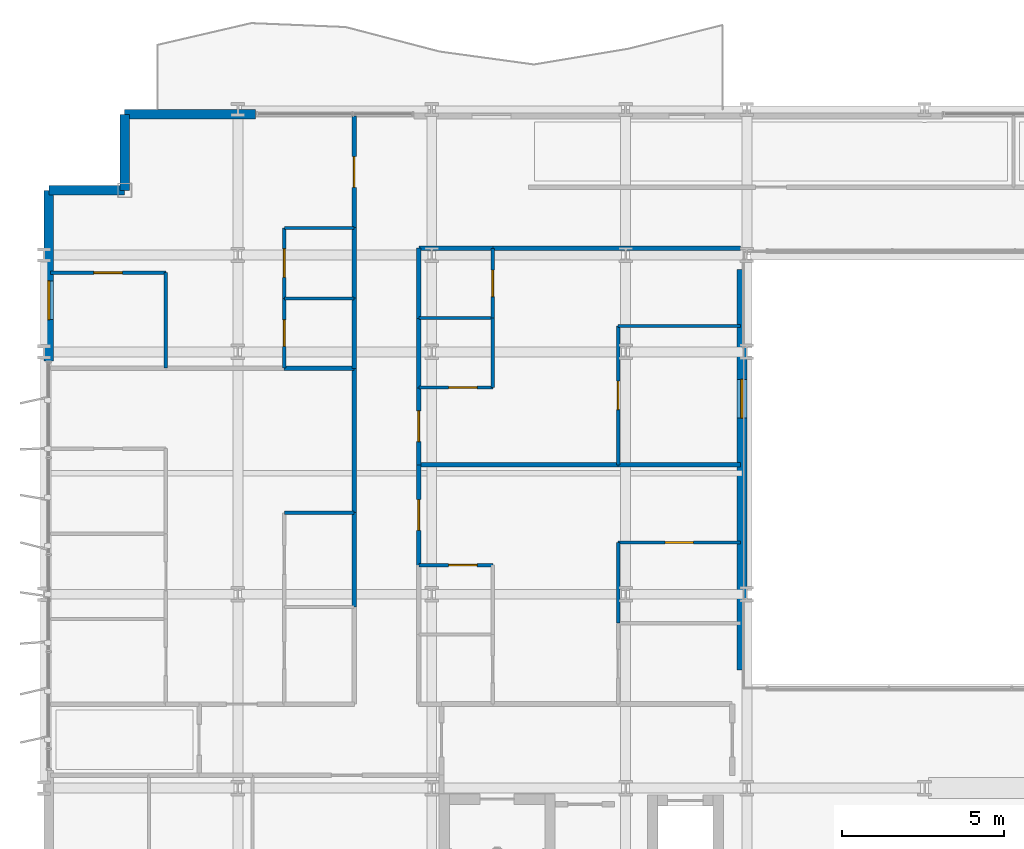
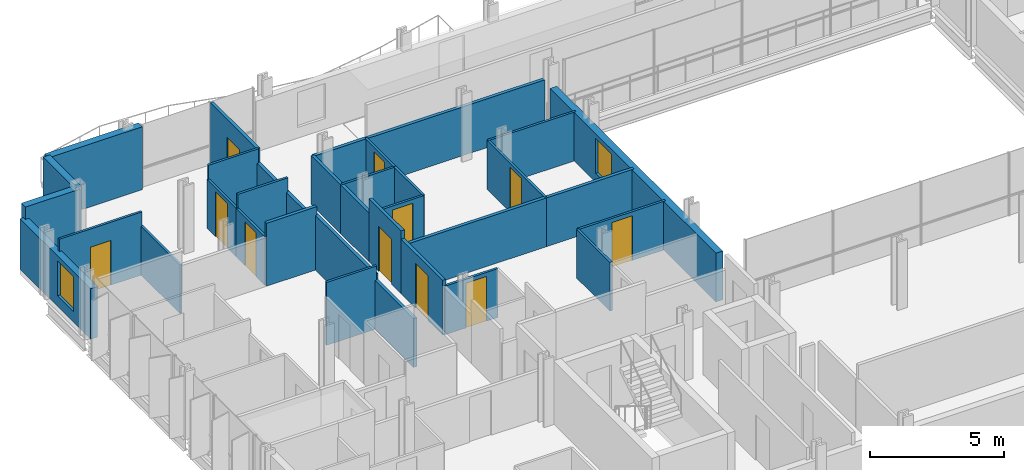
# One storey, part 29 of 38: 35 walls, 11 doors, 2 windows, 13 openings.
"""IFC4 building model written with IfcOpenShell, lengths in metres."""

from ifc_helpers import new_model, si_unit, direction, frame, frame_2d, origin, place, context, subcontext, project, spatial, rectangle, extrude, material, layer, layer_set, type_object, element, fill, save


model = new_model("IFC4")

# Units and contexts
model_context = context("Model", 3, precision=1e-05, world=origin(), true_north=direction((0.0, 1.0)))
body_context = subcontext(model_context, "Body", "Model", "MODEL_VIEW")
ifc_project = project(units=[si_unit("LENGTHUNIT", "METRE"), si_unit("AREAUNIT", "SQUARE_METRE"), si_unit("VOLUMEUNIT", "CUBIC_METRE"), si_unit("PLANEANGLEUNIT", "RADIAN"), si_unit("MASSUNIT", "GRAM", prefix="KILO")], contexts=[model_context])

# Site, building, storey
site_placement = place(None, origin())
site = spatial("IfcSite", under=ifc_project, at=site_placement, CompositionType="ELEMENT")
building_placement = place(site_placement, origin())
building = spatial("IfcBuilding", under=site, at=building_placement, Name="Brevholm Reach", CompositionType="ELEMENT")
storey_placement = place(building_placement, frame((0.0, 0.0, 46.60009765625)))
storey = spatial("IfcBuildingStorey", under=building, at=storey_placement, Name="L12", CompositionType="ELEMENT", Elevation=46.60009765625)

# Walls
ifc_material_1 = material(Name="Concrete C40/50", Category="concrete")
ifc_layer_1 = layer(ifc_material_1, 0.300048828125)
ifc_layer_set_1 = layer_set([ifc_layer_1], Name="Concrete C40/50")
wall_type_1 = type_object("IfcWallType", Name="WAL-EXT-300", PredefinedType="STANDARD", material=ifc_layer_set_1)
for number, where, z_axis, x_axis, name in (
    (1, (2.5, 30.85009765625, 0.0), (0.0, 0.0, 1.0), (0.0, -1.0, 0.0), "L12 Facade Wall WAL-L12-CNW1"),
    (2, (2.5, 28.5, 0.0), (0.0, 0.0, 1.0), (-1.0, 0.0, 0.0), "L12 Facade Wall WAL-L12-CNW2"),
):
    element("IfcWall", number, at=place(storey_placement, frame(where, z_axis=z_axis, x_axis=x_axis)), inside=storey, type_object=wall_type_1, Name=name, PredefinedType="STANDARD", context=body_context, shape_type="SweptSolid", body=[
        extrude(rectangle(XDim=2.35009765625, YDim=0.300048828125, at=frame_2d((1.175048828125, 0.0))), origin(), (0.0, 0.0, 1.0), 2.869873046875),
    ])

# Wall, opening, window
wall_1_placement = place(storey_placement, frame((0.14990234375, 28.5, 0.0), z_axis=(0.0, 0.0, 1.0), x_axis=(0.0, -1.0, 0.0)))
wall_1 = element("IfcWall", 3, at=wall_1_placement, inside=storey, type_object=wall_type_1, Name="L12 Facade Wall WAL-L12-W-N", PredefinedType="STANDARD", context=body_context, shape_type="SweptSolid", body=[
    extrude(rectangle(XDim=5.280029296875, YDim=0.300048828125, at=frame_2d((2.64013671875, 0.0))), origin(), (0.0, 0.0, 1.0), 2.305419921875),
])
opening_1_placement = place(wall_1_placement, frame((2.800048828125, 0.0, 0.486083984375)))
opening_1 = element("IfcOpeningElement", 4, at=opening_1_placement, cuts=wall_1, Name="Opening WN-08", PredefinedType="OPENING", context=body_context, shape_type="SweptSolid", body=[
    extrude(rectangle(XDim=1.199951171875, YDim=1.60009765625, at=frame_2d((0.60009765625, 0.800048828125))), frame((0.0, 0.159912109375, 0.0), z_axis=(0.0, -1.0, 0.0), x_axis=(1.0, 0.0, 0.0)), (0.0, 0.0, 1.0), 0.320068359375),
])
ifc_material_2 = material(Name="Dark Anodised Aluminium and Solar-Control IGU Glass", Category="aluminium")
window_type = type_object("IfcWindowType", Name="WIN-RES-1200", PartitioningType="SINGLE_PANEL", PredefinedType="WINDOW", material=ifc_material_2)
window_1_placement = place(opening_1_placement, origin())
window_1 = element("IfcWindow", 5, at=window_1_placement, inside=storey, type_object=window_type, Name="L12 Window WIN-L12-WN-1", OverallHeight=1.60009765625, OverallWidth=1.199951171875, PartitioningType="SINGLE_PANEL", PredefinedType="WINDOW", context=body_context, shape_type="SweptSolid", body=[
    extrude(rectangle(XDim=1.199951171875, YDim=1.60009765625, at=frame_2d((0.60009765625, 0.800048828125))), frame((0.0, 0.030029296875, 0.0), z_axis=(0.0, -1.0, 0.0), x_axis=(1.0, 0.0, 0.0)), (0.0, 0.0, 1.0), 0.06005859375),
])
fill(opening_1, window_1)

# Wall
wall_2_placement = place(storey_placement, frame((2.5, 30.85009765625, 0.0), z_axis=(0.0, 0.0, 1.0), x_axis=(1.0, 0.0, 0.0)))
element("IfcWall", 6, at=wall_2_placement, inside=storey, type_object=wall_type_1, Name="L12 Facade Wall WAL-L12-NP-W0", PredefinedType="STANDARD", context=body_context, shape_type="SweptSolid", body=[
    extrude(rectangle(XDim=4.050048828125, YDim=0.300048828125, at=frame_2d((2.02490234375, 0.0))), origin(), (0.0, 0.0, 1.0), 2.869873046875),
])

# Wall, opening, window
wall_3_placement = place(storey_placement, frame((21.60009765625, 26.050048828125, 0.0), z_axis=(0.0, 0.0, 1.0), x_axis=(0.0, -1.0, 0.0)))
wall_3 = element("IfcWall", 7, at=wall_3_placement, inside=storey, type_object=wall_type_1, Name="L12 Facade Wall WAL-L12-AT-W", PredefinedType="STANDARD", context=body_context, shape_type="SweptSolid", body=[
    extrude(rectangle(XDim=12.400146484375, YDim=0.300048828125, at=frame_2d((6.2001953125, 0.0))), origin(), (0.0, 0.0, 1.0), 2.224609375),
])
opening_2_placement = place(wall_3_placement, frame((3.39990234375, 0.0, 0.405029296875)))
opening_2 = element("IfcOpeningElement", 8, at=opening_2_placement, cuts=wall_3, Name="Opening WN-08", PredefinedType="OPENING", context=body_context, shape_type="SweptSolid", body=[
    extrude(rectangle(XDim=1.199951171875, YDim=1.60009765625, at=frame_2d((0.60009765625, 0.800048828125))), frame((0.0, 0.159912109375, 0.0), z_axis=(0.0, -1.0, 0.0), x_axis=(1.0, 0.0, 0.0)), (0.0, 0.0, 1.0), 0.320068359375),
])
window_2_placement = place(opening_2_placement, origin())
window_2 = element("IfcWindow", 9, at=window_2_placement, inside=storey, type_object=window_type, Name="L12 Window WIN-L12-AT-W1", OverallHeight=1.60009765625, OverallWidth=1.199951171875, PartitioningType="SINGLE_PANEL", PredefinedType="WINDOW", context=body_context, shape_type="SweptSolid", body=[
    extrude(rectangle(XDim=1.199951171875, YDim=1.60009765625, at=frame_2d((0.60009765625, 0.800048828125))), frame((0.0, 0.030029296875, 0.0), z_axis=(0.0, -1.0, 0.0), x_axis=(1.0, 0.0, 0.0)), (0.0, 0.0, 1.0), 0.06005859375),
])
fill(opening_2, window_2)

# Walls
ifc_material_3 = material(Name="Moisture-Resistant Acoustic Gypsum Stud Partition 100 mm", Category="gypsum")
ifc_layer_2 = layer(ifc_material_3, 0.10009765625)
ifc_layer_set_2 = layer_set([ifc_layer_2], Name="Moisture-Resistant Acoustic Gypsum Stud Partition 100 mm")
wall_type_2 = type_object("IfcWallType", Name="WAL-PRT-100", PredefinedType="PARTITIONING", material=ifc_layer_set_2)
for number, where, z_axis, x_axis, name in (
    (10, (7.43798828125, 18.52001953125, 0.0), (0.0, 0.0, 1.0), (1.0, 0.0, 0.0), "L12 Internal Partition 091"),
    (11, (7.43798828125, 25.14990234375, 0.0), (0.0, 0.0, 1.0), (1.0, 0.0, 0.0), "L12 Internal Partition 102"),
):
    element("IfcWall", number, at=place(storey_placement, frame(where, z_axis=z_axis, x_axis=x_axis)), inside=storey, type_object=wall_type_2, Name=name, PredefinedType="PARTITIONING", context=body_context, shape_type="SweptSolid", body=[
        extrude(rectangle(XDim=2.157958984375, YDim=0.10009765625, at=frame_2d((1.0791015625, 0.0))), origin(), (0.0, 0.0, 1.0), 2.869873046875),
    ])

# Wall, opening, door
wall_4_placement = place(storey_placement, frame((7.43798828125, 23.00390625, 0.0), z_axis=(0.0, 0.0, 1.0), x_axis=(0.0, 1.0, 0.0)))
wall_4 = element("IfcWall", 12, at=wall_4_placement, inside=storey, type_object=wall_type_2, Name="L12 Internal Partition 103", PredefinedType="PARTITIONING", context=body_context, shape_type="SweptSolid", body=[
    extrude(rectangle(XDim=2.14599609375, YDim=0.10009765625, at=frame_2d((1.072998046875, 0.0))), origin(), (0.0, 0.0, 1.0), 2.224609375),
])
opening_3_placement = place(wall_4_placement, frame((0.6630859375, 0.0, 0.0)))
opening_3 = element("IfcOpeningElement", 13, at=opening_3_placement, cuts=wall_4, Name="Opening ID-03", PredefinedType="OPENING", context=body_context, shape_type="SweptSolid", body=[
    extrude(rectangle(XDim=0.820068359375, YDim=2.02001953125, at=frame_2d((0.41015625, 1.010009765625))), frame((0.0, 0.06005859375, 0.0), z_axis=(0.0, -1.0, 0.0), x_axis=(1.0, 0.0, 0.0)), (0.0, 0.0, 1.0), 0.1201171875),
])
ifc_material_4 = material(Name="Moisture-Resistant Painted Timber Internal Bathroom Door", Category="wood")
door_type_1 = type_object("IfcDoorType", Name="DOR-BATH-820", OperationType="NOTDEFINED", PredefinedType="DOOR", material=ifc_material_4)
door_1_placement = place(opening_3_placement, origin())
door_1 = element("IfcDoor", 14, at=door_1_placement, inside=storey, type_object=door_type_1, Name="L12 Internal Door 036", OperationType="SINGLE_SWING_RIGHT", OverallHeight=2.02001953125, OverallWidth=0.820068359375, PredefinedType="DOOR", context=body_context, shape_type="SweptSolid", body=[
    extrude(rectangle(XDim=0.820068359375, YDim=2.02001953125, at=frame_2d((0.41015625, 1.010009765625))), frame((0.0, 0.02490234375, 0.0), z_axis=(0.0, -1.0, 0.0), x_axis=(1.0, 0.0, 0.0)), (0.0, 0.0, 1.0), 0.050048828125),
])
fill(opening_3, door_1)

# Wall
wall_5_placement = place(storey_placement, frame((7.43798828125, 27.333984375, 0.0), z_axis=(0.0, 0.0, 1.0), x_axis=(1.0, 0.0, 0.0)))
element("IfcWall", 15, at=wall_5_placement, inside=storey, type_object=wall_type_2, Name="L12 Internal Partition 104", PredefinedType="PARTITIONING", context=body_context, shape_type="SweptSolid", body=[
    extrude(rectangle(XDim=2.157958984375, YDim=0.10009765625, at=frame_2d((1.0791015625, 0.0))), origin(), (0.0, 0.0, 1.0), 2.869873046875),
])

# Wall, opening, door
wall_6_placement = place(storey_placement, frame((7.43798828125, 25.154052734375, 0.0), z_axis=(0.0, 0.0, 1.0), x_axis=(0.0, 1.0, 0.0)))
wall_6 = element("IfcWall", 16, at=wall_6_placement, inside=storey, type_object=wall_type_2, Name="L12 Internal Partition 105", PredefinedType="PARTITIONING", context=body_context, shape_type="SweptSolid", body=[
    extrude(rectangle(XDim=2.179931640625, YDim=0.10009765625, at=frame_2d((1.08984375, 0.0))), origin(), (0.0, 0.0, 1.0), 2.224609375),
])
opening_4_placement = place(wall_6_placement, frame((0.64990234375, 0.0, 0.0)))
opening_4 = element("IfcOpeningElement", 17, at=opening_4_placement, cuts=wall_6, Name="Opening ID-01", PredefinedType="OPENING", context=body_context, shape_type="SweptSolid", body=[
    extrude(rectangle(XDim=0.8798828125, YDim=2.0400390625, at=frame_2d((0.43994140625, 1.02001953125))), frame((0.0, 0.06005859375, 0.0), z_axis=(0.0, -1.0, 0.0), x_axis=(1.0, 0.0, 0.0)), (0.0, 0.0, 1.0), 0.1201171875),
])
ifc_material_5 = material(Name="Lacquered Ash Solid-Core Acoustic Internal Door", Category="timber")
door_type_2 = type_object("IfcDoorType", Name="DOR-INT-880", OperationType="NOTDEFINED", PredefinedType="DOOR", material=ifc_material_5)
door_2_placement = place(opening_4_placement, origin())
door_2 = element("IfcDoor", 18, at=door_2_placement, inside=storey, type_object=door_type_2, Name="L12 Internal Door 037", OperationType="SINGLE_SWING_LEFT", OverallHeight=2.0400390625, OverallWidth=0.8798828125, PredefinedType="DOOR", context=body_context, shape_type="SweptSolid", body=[
    extrude(rectangle(XDim=0.8798828125, YDim=2.0400390625, at=frame_2d((0.43994140625, 1.02001953125))), frame((0.0, 0.02490234375, 0.0), z_axis=(0.0, -1.0, 0.0), x_axis=(1.0, 0.0, 0.0)), (0.0, 0.0, 1.0), 0.050048828125),
])
fill(opening_4, door_2)

# Wall
wall_7_placement = place(storey_placement, frame((3.77197265625, 23.00390625, 0.0), z_axis=(0.0, 0.0, 1.0), x_axis=(0.0, 1.0, 0.0)))
element("IfcWall", 19, at=wall_7_placement, inside=storey, type_object=wall_type_2, Name="L12 Internal Partition 106", PredefinedType="PARTITIONING", context=body_context, shape_type="SweptSolid", body=[
    extrude(rectangle(XDim=2.946044921875, YDim=0.10009765625, at=frame_2d((1.47314453125, 0.0))), origin(), (0.0, 0.0, 1.0), 2.224609375),
])

# Wall, opening, door
wall_8_placement = place(storey_placement, frame((0.199951171875, 25.949951171875, 0.0), z_axis=(0.0, 0.0, 1.0), x_axis=(1.0, 0.0, 0.0)))
wall_8 = element("IfcWall", 20, at=wall_8_placement, inside=storey, type_object=wall_type_2, Name="L12 Internal Partition 107", PredefinedType="PARTITIONING", context=body_context, shape_type="SweptSolid", body=[
    extrude(rectangle(XDim=3.572021484375, YDim=0.10009765625, at=frame_2d((1.7861328125, 0.0))), origin(), (0.0, 0.0, 1.0), 2.869873046875),
])
opening_5_placement = place(wall_8_placement, frame((1.345947265625, 0.0, 0.0)))
opening_5 = element("IfcOpeningElement", 21, at=opening_5_placement, cuts=wall_8, Name="Opening ID-01", PredefinedType="OPENING", context=body_context, shape_type="SweptSolid", body=[
    extrude(rectangle(XDim=0.8798828125, YDim=2.0400390625, at=frame_2d((0.43994140625, 1.02001953125))), frame((0.0, 0.06005859375, 0.0), z_axis=(0.0, -1.0, 0.0), x_axis=(1.0, 0.0, 0.0)), (0.0, 0.0, 1.0), 0.1201171875),
])
door_3_placement = place(opening_5_placement, origin())
door_3 = element("IfcDoor", 22, at=door_3_placement, inside=storey, type_object=door_type_2, Name="L12 Internal Door 038", OperationType="SINGLE_SWING_RIGHT", OverallHeight=2.0400390625, OverallWidth=0.8798828125, PredefinedType="DOOR", context=body_context, shape_type="SweptSolid", body=[
    extrude(rectangle(XDim=0.8798828125, YDim=2.0400390625, at=frame_2d((0.43994140625, 1.02001953125))), frame((0.0, 0.02490234375, 0.0), z_axis=(0.0, -1.0, 0.0), x_axis=(1.0, 0.0, 0.0)), (0.0, 0.0, 1.0), 0.050048828125),
])
fill(opening_5, door_3)

wall_9_placement = place(storey_placement, frame((11.60400390625, 16.89990234375, 0.0), z_axis=(0.0, 0.0, 1.0), x_axis=(1.0, 0.0, 0.0)))
wall_9 = element("IfcWall", 23, at=wall_9_placement, inside=storey, type_object=wall_type_2, Name="L12 Internal Partition 111", PredefinedType="PARTITIONING", context=body_context, shape_type="SweptSolid", body=[
    extrude(rectangle(XDim=2.284912109375, YDim=0.10009765625, at=frame_2d((1.142578125, 0.0))), origin(), (0.0, 0.0, 1.0), 2.224609375),
])
opening_6_placement = place(wall_9_placement, frame((0.922607421875, 0.0, 0.0)))
opening_6 = element("IfcOpeningElement", 24, at=opening_6_placement, cuts=wall_9, Name="Opening ID-01", PredefinedType="OPENING", context=body_context, shape_type="SweptSolid", body=[
    extrude(rectangle(XDim=0.8798828125, YDim=2.0400390625, at=frame_2d((0.43994140625, 1.02001953125))), frame((0.0, 0.06005859375, 0.0), z_axis=(0.0, -1.0, 0.0), x_axis=(1.0, 0.0, 0.0)), (0.0, 0.0, 1.0), 0.1201171875),
])
door_4_placement = place(opening_6_placement, origin())
door_4 = element("IfcDoor", 25, at=door_4_placement, inside=storey, type_object=door_type_2, Name="L12 Internal Door 040", OperationType="SINGLE_SWING_RIGHT", OverallHeight=2.0400390625, OverallWidth=0.8798828125, PredefinedType="DOOR", context=body_context, shape_type="SweptSolid", body=[
    extrude(rectangle(XDim=0.8798828125, YDim=2.0400390625, at=frame_2d((0.43994140625, 1.02001953125))), frame((0.0, 0.02490234375, 0.0), z_axis=(0.0, -1.0, 0.0), x_axis=(1.0, 0.0, 0.0)), (0.0, 0.0, 1.0), 0.050048828125),
])
fill(opening_6, door_4)

wall_10_placement = place(storey_placement, frame((17.76904296875, 17.60009765625, 0.0), z_axis=(0.0, 0.0, 1.0), x_axis=(1.0, 0.0, 0.0)))
wall_10 = element("IfcWall", 26, at=wall_10_placement, inside=storey, type_object=wall_type_2, Name="L12 Internal Partition 114", PredefinedType="PARTITIONING", context=body_context, shape_type="SweptSolid", body=[
    extrude(rectangle(XDim=3.781005859375, YDim=0.10009765625, at=frame_2d((1.890625, 0.0))), origin(), (0.0, 0.0, 1.0), 2.224609375),
])
opening_7_placement = place(wall_10_placement, frame((1.450439453125, 0.0, 0.0)))
opening_7 = element("IfcOpeningElement", 27, at=opening_7_placement, cuts=wall_10, Name="Opening ID-01", PredefinedType="OPENING", context=body_context, shape_type="SweptSolid", body=[
    extrude(rectangle(XDim=0.8798828125, YDim=2.0400390625, at=frame_2d((0.43994140625, 1.02001953125))), frame((0.0, 0.06005859375, 0.0), z_axis=(0.0, -1.0, 0.0), x_axis=(1.0, 0.0, 0.0)), (0.0, 0.0, 1.0), 0.1201171875),
])
door_5_placement = place(opening_7_placement, origin())
door_5 = element("IfcDoor", 28, at=door_5_placement, inside=storey, type_object=door_type_2, Name="L12 Internal Door 042", OperationType="SINGLE_SWING_RIGHT", OverallHeight=2.0400390625, OverallWidth=0.8798828125, PredefinedType="DOOR", context=body_context, shape_type="SweptSolid", body=[
    extrude(rectangle(XDim=0.8798828125, YDim=2.0400390625, at=frame_2d((0.43994140625, 1.02001953125))), frame((0.0, 0.02490234375, 0.0), z_axis=(0.0, -1.0, 0.0), x_axis=(1.0, 0.0, 0.0)), (0.0, 0.0, 1.0), 0.050048828125),
])
fill(opening_7, door_5)

# Walls
wall_11_placement = place(storey_placement, frame((17.76904296875, 15.10400390625, 0.0), z_axis=(0.0, 0.0, 1.0), x_axis=(0.0, 1.0, 0.0)))
element("IfcWall", 29, at=wall_11_placement, inside=storey, type_object=wall_type_2, Name="L12 Internal Partition 115", PredefinedType="PARTITIONING", context=body_context, shape_type="SweptSolid", body=[
    extrude(rectangle(XDim=2.49609375, YDim=0.10009765625, at=frame_2d((1.248046875, 0.0))), origin(), (0.0, 0.0, 1.0), 2.224609375),
])
wall_12_placement = place(storey_placement, frame((11.60400390625, 24.550048828125, 0.0), z_axis=(0.0, 0.0, 1.0), x_axis=(1.0, 0.0, 0.0)))
element("IfcWall", 30, at=wall_12_placement, inside=storey, type_object=wall_type_2, Name="L12 Internal Partition 118", PredefinedType="PARTITIONING", context=body_context, shape_type="SweptSolid", body=[
    extrude(rectangle(XDim=2.284912109375, YDim=0.10009765625, at=frame_2d((1.142578125, 0.0))), origin(), (0.0, 0.0, 1.0), 2.224609375),
])

# Wall, opening, door
wall_13_placement = place(storey_placement, frame((13.888916015625, 24.550048828125, 0.0), z_axis=(0.0, 0.0, 1.0), x_axis=(0.0, 1.0, 0.0)))
wall_13 = element("IfcWall", 31, at=wall_13_placement, inside=storey, type_object=wall_type_2, Name="L12 Internal Partition 119", PredefinedType="PARTITIONING", context=body_context, shape_type="SweptSolid", body=[
    extrude(rectangle(XDim=2.14599609375, YDim=0.10009765625, at=frame_2d((1.072998046875, 0.0))), origin(), (0.0, 0.0, 1.0), 2.224609375),
])
opening_8_placement = place(wall_13_placement, frame((0.6630859375, 0.0, 0.0)))
opening_8 = element("IfcOpeningElement", 32, at=opening_8_placement, cuts=wall_13, Name="Opening ID-03", PredefinedType="OPENING", context=body_context, shape_type="SweptSolid", body=[
    extrude(rectangle(XDim=0.820068359375, YDim=2.02001953125, at=frame_2d((0.41015625, 1.010009765625))), frame((0.0, 0.06005859375, 0.0), z_axis=(0.0, -1.0, 0.0), x_axis=(1.0, 0.0, 0.0)), (0.0, 0.0, 1.0), 0.1201171875),
])
door_6_placement = place(opening_8_placement, origin())
door_6 = element("IfcDoor", 33, at=door_6_placement, inside=storey, type_object=door_type_1, Name="L12 Internal Door 043", OperationType="SINGLE_SWING_LEFT", OverallHeight=2.02001953125, OverallWidth=0.820068359375, PredefinedType="DOOR", context=body_context, shape_type="SweptSolid", body=[
    extrude(rectangle(XDim=0.820068359375, YDim=2.02001953125, at=frame_2d((0.41015625, 1.010009765625))), frame((0.0, 0.02490234375, 0.0), z_axis=(0.0, -1.0, 0.0), x_axis=(1.0, 0.0, 0.0)), (0.0, 0.0, 1.0), 0.050048828125),
])
fill(opening_8, door_6)

wall_14_placement = place(storey_placement, frame((11.60400390625, 22.39990234375, 0.0), z_axis=(0.0, 0.0, 1.0), x_axis=(1.0, 0.0, 0.0)))
wall_14 = element("IfcWall", 34, at=wall_14_placement, inside=storey, type_object=wall_type_2, Name="L12 Internal Partition 120", PredefinedType="PARTITIONING", context=body_context, shape_type="SweptSolid", body=[
    extrude(rectangle(XDim=2.284912109375, YDim=0.10009765625, at=frame_2d((1.142578125, 0.0))), origin(), (0.0, 0.0, 1.0), 2.224609375),
])
opening_9_placement = place(wall_14_placement, frame((0.922607421875, 0.0, 0.0)))
opening_9 = element("IfcOpeningElement", 35, at=opening_9_placement, cuts=wall_14, Name="Opening ID-01", PredefinedType="OPENING", context=body_context, shape_type="SweptSolid", body=[
    extrude(rectangle(XDim=0.8798828125, YDim=2.0400390625, at=frame_2d((0.43994140625, 1.02001953125))), frame((0.0, 0.06005859375, 0.0), z_axis=(0.0, -1.0, 0.0), x_axis=(1.0, 0.0, 0.0)), (0.0, 0.0, 1.0), 0.1201171875),
])
door_7_placement = place(opening_9_placement, origin())
door_7 = element("IfcDoor", 36, at=door_7_placement, inside=storey, type_object=door_type_2, Name="L12 Internal Door 044", OperationType="SINGLE_SWING_RIGHT", OverallHeight=2.0400390625, OverallWidth=0.8798828125, PredefinedType="DOOR", context=body_context, shape_type="SweptSolid", body=[
    extrude(rectangle(XDim=0.8798828125, YDim=2.0400390625, at=frame_2d((0.43994140625, 1.02001953125))), frame((0.0, 0.02490234375, 0.0), z_axis=(0.0, -1.0, 0.0), x_axis=(1.0, 0.0, 0.0)), (0.0, 0.0, 1.0), 0.050048828125),
])
fill(opening_9, door_7)

# Walls
wall_15_placement = place(storey_placement, frame((13.888916015625, 22.39990234375, 0.0), z_axis=(0.0, 0.0, 1.0), x_axis=(0.0, 1.0, 0.0)))
element("IfcWall", 37, at=wall_15_placement, inside=storey, type_object=wall_type_2, Name="L12 Internal Partition 121", PredefinedType="PARTITIONING", context=body_context, shape_type="SweptSolid", body=[
    extrude(rectangle(XDim=2.14599609375, YDim=0.10009765625, at=frame_2d((1.072998046875, 0.0))), origin(), (0.0, 0.0, 1.0), 2.224609375),
])
wall_16_placement = place(storey_placement, frame((17.76904296875, 24.300048828125, 0.0), z_axis=(0.0, 0.0, 1.0), x_axis=(1.0, 0.0, 0.0)))
element("IfcWall", 38, at=wall_16_placement, inside=storey, type_object=wall_type_2, Name="L12 Internal Partition 122", PredefinedType="PARTITIONING", context=body_context, shape_type="SweptSolid", body=[
    extrude(rectangle(XDim=3.781005859375, YDim=0.10009765625, at=frame_2d((1.890625, 0.0))), origin(), (0.0, 0.0, 1.0), 2.224609375),
])

# Wall, opening, door
wall_17_placement = place(storey_placement, frame((17.76904296875, 20.00390625, 0.0), z_axis=(0.0, 0.0, 1.0), x_axis=(0.0, 1.0, 0.0)))
wall_17 = element("IfcWall", 39, at=wall_17_placement, inside=storey, type_object=wall_type_2, Name="L12 Internal Partition 123", PredefinedType="PARTITIONING", context=body_context, shape_type="SweptSolid", body=[
    extrude(rectangle(XDim=4.296142578125, YDim=0.10009765625, at=frame_2d((2.14794921875, 0.0))), origin(), (0.0, 0.0, 1.0), 2.224609375),
])
opening_10_placement = place(wall_17_placement, frame((1.7080078125, 0.0, 0.0)))
opening_10 = element("IfcOpeningElement", 40, at=opening_10_placement, cuts=wall_17, Name="Opening ID-01", PredefinedType="OPENING", context=body_context, shape_type="SweptSolid", body=[
    extrude(rectangle(XDim=0.8798828125, YDim=2.0400390625, at=frame_2d((0.43994140625, 1.02001953125))), frame((0.0, 0.06005859375, 0.0), z_axis=(0.0, -1.0, 0.0), x_axis=(1.0, 0.0, 0.0)), (0.0, 0.0, 1.0), 0.1201171875),
])
door_8_placement = place(opening_10_placement, origin())
door_8 = element("IfcDoor", 41, at=door_8_placement, inside=storey, type_object=door_type_2, Name="L12 Internal Door 045", OperationType="SINGLE_SWING_LEFT", OverallHeight=2.0400390625, OverallWidth=0.8798828125, PredefinedType="DOOR", context=body_context, shape_type="SweptSolid", body=[
    extrude(rectangle(XDim=0.8798828125, YDim=2.0400390625, at=frame_2d((0.43994140625, 1.02001953125))), frame((0.0, 0.02490234375, 0.0), z_axis=(0.0, -1.0, 0.0), x_axis=(1.0, 0.0, 0.0)), (0.0, 0.0, 1.0), 0.050048828125),
])
fill(opening_10, door_8)

# Walls
ifc_material_6 = material(Name="Twin-Stud Acoustic Fire-Rated Gypsum Partition 140 mm", Category="gypsum")
ifc_layer_3 = layer(ifc_material_6, 0.139892578125)
ifc_layer_set_3 = layer_set([ifc_layer_3], Name="Twin-Stud Acoustic Fire-Rated Gypsum Partition 140 mm")
wall_type_3 = type_object("IfcWallType", Name="WAL-PRT-140", PredefinedType="PARTITIONING", material=ifc_layer_set_3)
wall_18_placement = place(storey_placement, frame((9.60009765625, 15.6005859375, 0.0), z_axis=(0.0, 0.0, 1.0), x_axis=(0.0, 1.0, 0.0)))
element("IfcWall", 42, at=wall_18_placement, inside=storey, type_object=wall_type_3, Name="L12 Internal Partition 035", PredefinedType="PARTITIONING", context=body_context, shape_type="SweptSolid", body=[
    extrude(rectangle(XDim=2.9306640625, YDim=0.139892578125, at=frame_2d((1.46533203125, 0.0))), origin(), (0.0, 0.0, 1.0), 2.224609375),
])
wall_19_placement = place(storey_placement, frame((9.60009765625, 18.5126953125, 0.0), z_axis=(0.0, 0.0, 1.0), x_axis=(0.0, 1.0, 0.0)))
element("IfcWall", 43, at=wall_19_placement, inside=storey, type_object=wall_type_3, Name="L12 Internal Partition 036", PredefinedType="PARTITIONING", context=body_context, shape_type="SweptSolid", body=[
    extrude(rectangle(XDim=4.49853515625, YDim=0.139892578125, at=frame_2d((2.249267578125, 0.0))), origin(), (0.0, 0.0, 1.0), 2.489990234375),
])
wall_20_placement = place(storey_placement, frame((9.60009765625, 22.99267578125, 0.0), z_axis=(0.0, 0.0, 1.0), x_axis=(0.0, 1.0, 0.0)))
element("IfcWall", 44, at=wall_20_placement, inside=storey, type_object=wall_type_3, Name="L12 Internal Partition 037", PredefinedType="PARTITIONING", context=body_context, shape_type="SweptSolid", body=[
    extrude(rectangle(XDim=2.168701171875, YDim=0.139892578125, at=frame_2d((1.08447265625, 0.0))), origin(), (0.0, 0.0, 1.0), 2.224609375),
])
wall_21_placement = place(storey_placement, frame((9.60009765625, 25.142578125, 0.0), z_axis=(0.0, 0.0, 1.0), x_axis=(0.0, 1.0, 0.0)))
element("IfcWall", 45, at=wall_21_placement, inside=storey, type_object=wall_type_3, Name="L12 Internal Partition 038", PredefinedType="PARTITIONING", context=body_context, shape_type="SweptSolid", body=[
    extrude(rectangle(XDim=2.20263671875, YDim=0.139892578125, at=frame_2d((1.101318359375, 0.0))), origin(), (0.0, 0.0, 1.0), 2.224609375),
])

# Wall, opening, door
wall_22_placement = place(storey_placement, frame((9.60009765625, 27.32666015625, 0.0), z_axis=(0.0, 0.0, 1.0), x_axis=(0.0, 1.0, 0.0)))
wall_22 = element("IfcWall", 46, at=wall_22_placement, inside=storey, type_object=wall_type_3, Name="L12 Internal Partition 039", PredefinedType="PARTITIONING", context=body_context, shape_type="SweptSolid", body=[
    extrude(rectangle(XDim=3.473388671875, YDim=0.139892578125, at=frame_2d((1.73681640625, 0.0))), origin(), (0.0, 0.0, 1.0), 2.869873046875),
])
opening_11_placement = place(wall_22_placement, frame((1.26171875, 0.0, 0.0)))
opening_11 = element("IfcOpeningElement", 47, at=opening_11_placement, cuts=wall_22, Name="Opening ID-30", PredefinedType="OPENING", context=body_context, shape_type="SweptSolid", body=[
    extrude(rectangle(XDim=0.949951171875, YDim=2.050048828125, at=frame_2d((0.47509765625, 1.02490234375))), frame((0.0, 0.079833984375, 0.0), z_axis=(0.0, -1.0, 0.0), x_axis=(1.0, 0.0, 0.0)), (0.0, 0.0, 1.0), 0.159912109375),
])
ifc_material_7 = material(Name="European Oak Veneered Solid-Core Fire Entrance Door", Category="timber")
door_type_3 = type_object("IfcDoorType", Name="DOR-FLT-FD30S", OperationType="NOTDEFINED", PredefinedType="DOOR", material=ifc_material_7)
door_9_placement = place(opening_11_placement, origin())
door_9 = element("IfcDoor", 48, at=door_9_placement, inside=storey, type_object=door_type_3, Name="L12 Internal Door 015", OperationType="SINGLE_SWING_LEFT", OverallHeight=2.050048828125, OverallWidth=0.949951171875, PredefinedType="DOOR", context=body_context, shape_type="SweptSolid", body=[
    extrude(rectangle(XDim=0.949951171875, YDim=2.050048828125, at=frame_2d((0.47509765625, 1.02490234375))), frame((0.0, 0.02490234375, 0.0), z_axis=(0.0, -1.0, 0.0), x_axis=(1.0, 0.0, 0.0)), (0.0, 0.0, 1.0), 0.050048828125),
])
fill(opening_11, door_9)

wall_23_placement = place(storey_placement, frame((11.60009765625, 16.892578125, 0.0), z_axis=(0.0, 0.0, 1.0), x_axis=(0.0, 1.0, 0.0)))
wall_23 = element("IfcWall", 49, at=wall_23_placement, inside=storey, type_object=wall_type_3, Name="L12 Internal Partition 042", PredefinedType="PARTITIONING", context=body_context, shape_type="SweptSolid", body=[
    extrude(rectangle(XDim=3.11865234375, YDim=0.139892578125, at=frame_2d((1.559326171875, 0.0))), origin(), (0.0, 0.0, 1.0), 2.489990234375),
])
opening_12_placement = place(wall_23_placement, frame((1.084228515625, 0.0, 0.0)))
opening_12 = element("IfcOpeningElement", 50, at=opening_12_placement, cuts=wall_23, Name="Opening ID-30", PredefinedType="OPENING", context=body_context, shape_type="SweptSolid", body=[
    extrude(rectangle(XDim=0.949951171875, YDim=2.050048828125, at=frame_2d((0.47509765625, 1.02490234375))), frame((0.0, 0.079833984375, 0.0), z_axis=(0.0, -1.0, 0.0), x_axis=(1.0, 0.0, 0.0)), (0.0, 0.0, 1.0), 0.159912109375),
])
door_10_placement = place(opening_12_placement, origin())
door_10 = element("IfcDoor", 51, at=door_10_placement, inside=storey, type_object=door_type_3, Name="L12 Internal Door 016", OperationType="SINGLE_SWING_RIGHT", OverallHeight=2.050048828125, OverallWidth=0.949951171875, PredefinedType="DOOR", context=body_context, shape_type="SweptSolid", body=[
    extrude(rectangle(XDim=0.949951171875, YDim=2.050048828125, at=frame_2d((0.47509765625, 1.02490234375))), frame((0.0, 0.02490234375, 0.0), z_axis=(0.0, -1.0, 0.0), x_axis=(1.0, 0.0, 0.0)), (0.0, 0.0, 1.0), 0.050048828125),
])
fill(opening_12, door_10)

# Walls
wall_24_placement = place(storey_placement, frame((11.60009765625, 24.538818359375, 0.0), z_axis=(0.0, 0.0, 1.0), x_axis=(0.0, 1.0, 0.0)))
element("IfcWall", 52, at=wall_24_placement, inside=storey, type_object=wall_type_3, Name="L12 Internal Partition 043", PredefinedType="PARTITIONING", context=body_context, shape_type="SweptSolid", body=[
    extrude(rectangle(XDim=2.16845703125, YDim=0.139892578125, at=frame_2d((1.084228515625, 0.0))), origin(), (0.0, 0.0, 1.0), 2.224609375),
])
wall_25_placement = place(storey_placement, frame((11.60009765625, 22.388671875, 0.0), z_axis=(0.0, 0.0, 1.0), x_axis=(0.0, 1.0, 0.0)))
element("IfcWall", 53, at=wall_25_placement, inside=storey, type_object=wall_type_3, Name="L12 Internal Partition 044", PredefinedType="PARTITIONING", context=body_context, shape_type="SweptSolid", body=[
    extrude(rectangle(XDim=2.168701171875, YDim=0.139892578125, at=frame_2d((1.08447265625, 0.0))), origin(), (0.0, 0.0, 1.0), 2.224609375),
])

# Wall, opening, door
wall_26_placement = place(storey_placement, frame((11.60009765625, 19.99267578125, 0.0), z_axis=(0.0, 0.0, 1.0), x_axis=(0.0, 1.0, 0.0)))
wall_26 = element("IfcWall", 54, at=wall_26_placement, inside=storey, type_object=wall_type_3, Name="L12 Internal Partition 045", PredefinedType="PARTITIONING", context=body_context, shape_type="SweptSolid", body=[
    extrude(rectangle(XDim=2.41455078125, YDim=0.139892578125, at=frame_2d((1.207275390625, 0.0))), origin(), (0.0, 0.0, 1.0), 2.869873046875),
])
opening_13_placement = place(wall_26_placement, frame((0.732421875, 0.0, 0.0)))
opening_13 = element("IfcOpeningElement", 55, at=opening_13_placement, cuts=wall_26, Name="Opening ID-30", PredefinedType="OPENING", context=body_context, shape_type="SweptSolid", body=[
    extrude(rectangle(XDim=0.949951171875, YDim=2.050048828125, at=frame_2d((0.47509765625, 1.02490234375))), frame((0.0, 0.079833984375, 0.0), z_axis=(0.0, -1.0, 0.0), x_axis=(1.0, 0.0, 0.0)), (0.0, 0.0, 1.0), 0.159912109375),
])
door_11_placement = place(opening_13_placement, origin())
door_11 = element("IfcDoor", 56, at=door_11_placement, inside=storey, type_object=door_type_3, Name="L12 Internal Door 017", OperationType="SINGLE_SWING_LEFT", OverallHeight=2.050048828125, OverallWidth=0.949951171875, PredefinedType="DOOR", context=body_context, shape_type="SweptSolid", body=[
    extrude(rectangle(XDim=0.949951171875, YDim=2.050048828125, at=frame_2d((0.47509765625, 1.02490234375))), frame((0.0, 0.02490234375, 0.0), z_axis=(0.0, -1.0, 0.0), x_axis=(1.0, 0.0, 0.0)), (0.0, 0.0, 1.0), 0.050048828125),
])
fill(opening_13, door_11)

# Walls
wall_27_placement = place(storey_placement, frame((11.60400390625, 26.699951171875, 0.0), z_axis=(0.0, 0.0, 1.0), x_axis=(1.0, 0.0, 0.0)))
element("IfcWall", 57, at=wall_27_placement, inside=storey, type_object=wall_type_3, Name="L12 Internal Partition 056", PredefinedType="PARTITIONING", context=body_context, shape_type="SweptSolid", body=[
    extrude(rectangle(XDim=2.29638671875, YDim=0.139892578125, at=frame_2d((1.148193359375, 0.0))), origin(), (0.0, 0.0, 1.0), 2.224609375),
])
wall_28_placement = place(storey_placement, frame((13.881591796875, 26.699951171875, 0.0), z_axis=(0.0, 0.0, 1.0), x_axis=(1.0, 0.0, 0.0)))
element("IfcWall", 58, at=wall_28_placement, inside=storey, type_object=wall_type_3, Name="L12 Internal Partition 057", PredefinedType="PARTITIONING", context=body_context, shape_type="SweptSolid", body=[
    extrude(rectangle(XDim=7.6796875, YDim=0.139892578125, at=frame_2d((3.83984375, 0.0))), origin(), (0.0, 0.0, 1.0), 2.224609375),
])
wall_29_placement = place(storey_placement, frame((7.4267578125, 23.0, 0.0), z_axis=(0.0, 0.0, 1.0), x_axis=(1.0, 0.0, 0.0)))
element("IfcWall", 59, at=wall_29_placement, inside=storey, type_object=wall_type_3, Name="L12 Internal Partition 099", PredefinedType="PARTITIONING", context=body_context, shape_type="SweptSolid", body=[
    extrude(rectangle(XDim=2.169189453125, YDim=0.139892578125, at=frame_2d((1.08447265625, 0.0))), origin(), (0.0, 0.0, 1.0), 2.869873046875),
])
wall_30_placement = place(storey_placement, frame((17.7578125, 20.0, 0.0), z_axis=(0.0, 0.0, 1.0), x_axis=(1.0, 0.0, 0.0)))
element("IfcWall", 60, at=wall_30_placement, inside=storey, type_object=wall_type_3, Name="L12 Internal Partition 116", PredefinedType="PARTITIONING", context=body_context, shape_type="SweptSolid", body=[
    extrude(rectangle(XDim=3.792236328125, YDim=0.139892578125, at=frame_2d((1.89599609375, 0.0))), origin(), (0.0, 0.0, 1.0), 2.224609375),
])
wall_31_placement = place(storey_placement, frame((11.60400390625, 20.0, 0.0), z_axis=(0.0, 0.0, 1.0), x_axis=(1.0, 0.0, 0.0)))
element("IfcWall", 61, at=wall_31_placement, inside=storey, type_object=wall_type_3, Name="L12 Internal Partition 117", PredefinedType="PARTITIONING", context=body_context, shape_type="SweptSolid", body=[
    extrude(rectangle(XDim=6.17236328125, YDim=0.139892578125, at=frame_2d((3.086181640625, 0.0))), origin(), (0.0, 0.0, 1.0), 2.224609375),
])

save(model, "model.ifc")
